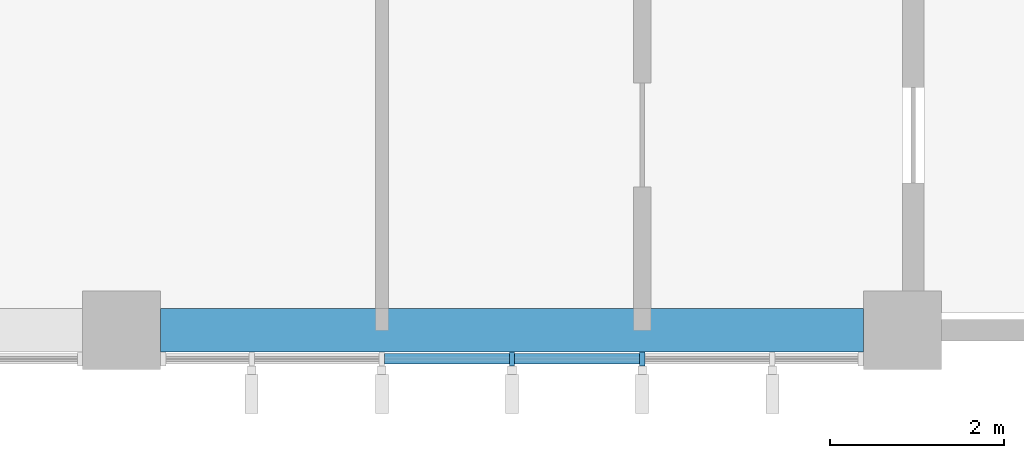
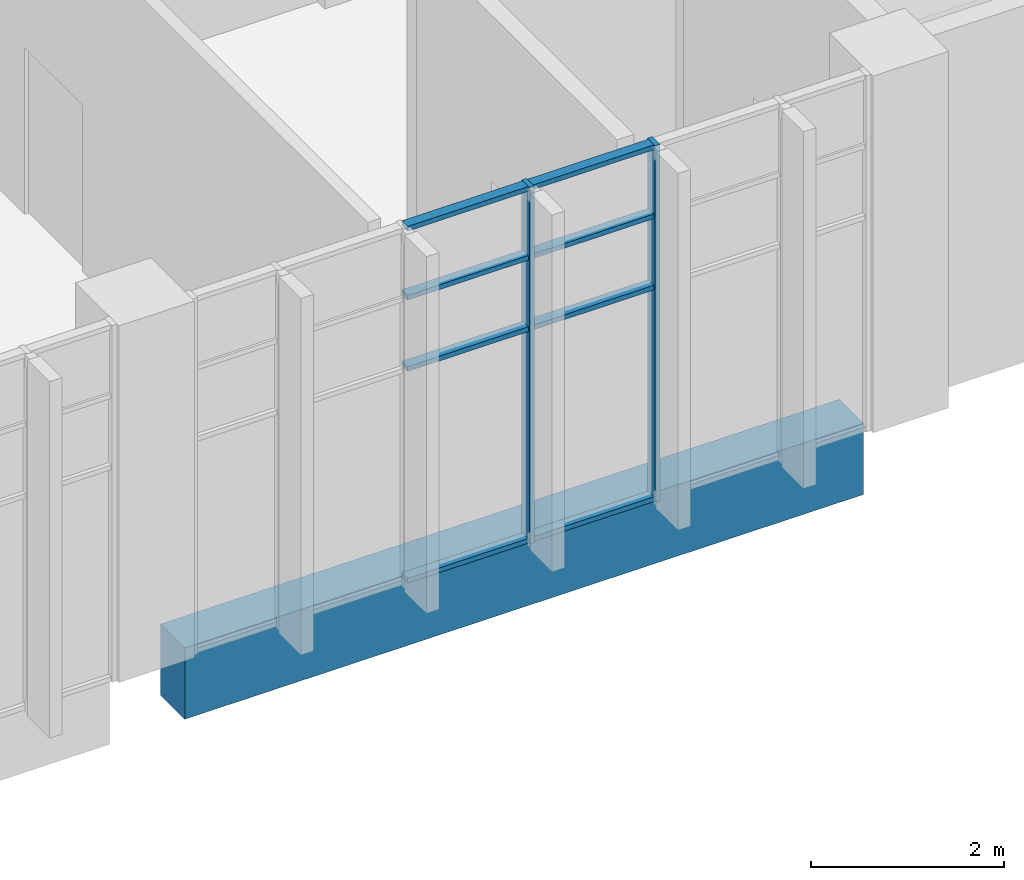
# One storey, part 34 of 79: 10 members, 1 beam, 1 element without a shape of its own.
"""IFC4 building model written with IfcOpenShell, lengths in metres."""

from ifc_helpers import new_model, si_unit, direction, frame, origin, origin_2d, place, context, subcontext, project, spatial, rectangle, extrude, material, layer, layer_set, material_profile, profile_set, type_object, element, aggregate, save


model = new_model("IFC4")

# Units and contexts
model_context = context("Model", 3, precision=1e-05, world=origin(), true_north=direction((0.0, 1.0)))
body_context = subcontext(model_context, "Body", "Model", "MODEL_VIEW")
ifc_project = project(units=[si_unit("LENGTHUNIT", "METRE"), si_unit("AREAUNIT", "SQUARE_METRE"), si_unit("VOLUMEUNIT", "CUBIC_METRE"), si_unit("PLANEANGLEUNIT", "RADIAN"), si_unit("MASSUNIT", "GRAM", prefix="KILO")], contexts=[model_context])

# Site, building, storey
site_placement = place(None, origin())
site = spatial("IfcSite", under=ifc_project, at=site_placement, CompositionType="ELEMENT")
building_placement = place(site_placement, origin())
building = spatial("IfcBuilding", under=site, at=building_placement, Name="Guidao Yard Department Store", CompositionType="ELEMENT")
storey_placement = place(building_placement, frame((0.0, 0.0, 15.0)))
storey = spatial("IfcBuildingStorey", under=building, at=storey_placement, Name="L03", CompositionType="ELEMENT", Elevation=15.0)

# Curtain wall, members
ifc_material_1 = material(Name="Aluminium and glass", Category="aluminium")
ifc_layer = layer(ifc_material_1, 0.159912109375)
ifc_layer_set = layer_set([ifc_layer], Name="Unitised curtain wall CW4 1500 module")
curtain_wall_type = type_object("IfcCurtainWallType", Name="Unitised curtain wall CW4 1500 module", PredefinedType="NOTDEFINED", material=ifc_layer_set)
curtain_wall_placement = place(storey_placement, origin())
curtain_wall = element("IfcCurtainWall", 1, at=curtain_wall_placement, inside=storey, type_object=curtain_wall_type, Name="Unitised curtain wall", PredefinedType="NOTDEFINED")
ifc_material_2 = material(Name="Aluminium 6063-T5", Category="aluminium")
ifc_material_profile_1 = material_profile(ifc_material_2, rectangle(XDim=0.06005859375, YDim=0.159912109375, at=origin_2d()), Name="Mullion M1 60 x 160 aluminium pressure plate")
ifc_profile_set_1 = profile_set([ifc_material_profile_1], Name="Aluminium 6063-T5")
member_type_1 = type_object("IfcMemberType", Name="Mullion M1 60 x 160 aluminium pressure plate", PredefinedType="MULLION", material=ifc_profile_set_1)
member_1_placement = place(storey_placement, frame((157.5, -0.330078125, 0.0), z_axis=(0.0, 0.0, 1.0), x_axis=(-1.0, 0.0, 0.0)))
member_1 = element("IfcMember", 2, at=member_1_placement, type_object=member_type_1, Name="CW-OW-L03-04 mullion 4", PredefinedType="MULLION", context=body_context, shape_type="SweptSolid", body=[
    extrude(rectangle(XDim=0.06005859375, YDim=0.159912109375, at=origin_2d()), origin(), (0.0, 0.0, 1.0), 4.5),
])
member_2_placement = place(storey_placement, frame((159.0, -0.330078125, 0.0), z_axis=(0.0, 0.0, 1.0), x_axis=(-1.0, 0.0, 0.0)))
member_2 = element("IfcMember", 3, at=member_2_placement, type_object=member_type_1, Name="CW-OW-L03-04 mullion 5", PredefinedType="MULLION", context=body_context, shape_type="SweptSolid", body=[
    extrude(rectangle(XDim=0.06005859375, YDim=0.159912109375, at=origin_2d()), origin(), (0.0, 0.0, 1.0), 4.5),
])

# Beam
ifc_material_3 = material(Name="Concrete C40", Category="concrete")
ifc_material_profile_2 = material_profile(ifc_material_3, rectangle(XDim=0.5, YDim=0.89990234375, at=origin_2d()), Name="Spandrel beam 500 x 900 C40")
ifc_profile_set_2 = profile_set([ifc_material_profile_2], Name="Concrete C40")
beam_type = type_object("IfcBeamType", Name="Spandrel beam 500 x 900 C40", PredefinedType="SPANDREL", material=ifc_profile_set_2)
beam_placement = place(storey_placement, frame((153.449951171875, 0.0, -0.449951171875), z_axis=(1.0, 0.0, 0.0), x_axis=(0.0, 1.0, 0.0)))
element("IfcBeam", 4, at=beam_placement, inside=storey, type_object=beam_type, Name="Beam FB03", PredefinedType="SPANDREL", context=body_context, shape_type="SweptSolid", body=[
    extrude(rectangle(XDim=0.5, YDim=0.89990234375, at=origin_2d()), origin(), (0.0, 0.0, 1.0), 8.10009765625),
])

# Member
ifc_material_4 = material(Name="Aluminium 6063-T5", Category="aluminium")
ifc_material_profile_3 = material_profile(ifc_material_4, rectangle(XDim=0.1201171875, YDim=0.06005859375, at=origin_2d()), Name="Transom T1 60 x 120 aluminium pressure plate")
ifc_profile_set_3 = profile_set([ifc_material_profile_3], Name="Aluminium 6063-T5")
member_type_2 = type_object("IfcMemberType", Name="Transom T1 60 x 120 aluminium pressure plate", PredefinedType="USERDEFINED", material=ifc_profile_set_3)
member_3_placement = place(storey_placement, frame((157.469970703125, -0.330078125, 0.030029296875), z_axis=(-1.0, 0.0, 0.0), x_axis=(0.0, -1.0, 0.0)))
member_3 = element("IfcMember", 5, at=member_3_placement, type_object=member_type_2, Name="CW-OW-L03-04 transom 3.1", ObjectType="TRANSOM", PredefinedType="USERDEFINED", context=body_context, shape_type="SweptSolid", body=[
    extrude(rectangle(XDim=0.1201171875, YDim=0.06005859375, at=origin_2d()), origin(), (0.0, 0.0, 1.0), 1.43994140625),
])

member_4_placement = place(storey_placement, frame((157.469970703125, -0.330078125, 2.699951171875), z_axis=(-1.0, 0.0, 0.0), x_axis=(0.0, -1.0, 0.0)))
member_4 = element("IfcMember", 6, at=member_4_placement, type_object=member_type_2, Name="CW-OW-L03-04 transom 3.2", ObjectType="TRANSOM", PredefinedType="USERDEFINED", context=body_context, shape_type="SweptSolid", body=[
    extrude(rectangle(XDim=0.1201171875, YDim=0.06005859375, at=origin_2d()), origin(), (0.0, 0.0, 1.0), 1.43994140625),
])

member_5_placement = place(storey_placement, frame((157.469970703125, -0.330078125, 3.60009765625), z_axis=(-1.0, 0.0, 0.0), x_axis=(0.0, -1.0, 0.0)))
member_5 = element("IfcMember", 7, at=member_5_placement, type_object=member_type_2, Name="CW-OW-L03-04 transom 3.3", ObjectType="TRANSOM", PredefinedType="USERDEFINED", context=body_context, shape_type="SweptSolid", body=[
    extrude(rectangle(XDim=0.1201171875, YDim=0.06005859375, at=origin_2d()), origin(), (0.0, 0.0, 1.0), 1.43994140625),
])

member_6_placement = place(storey_placement, frame((157.469970703125, -0.330078125, 4.469970703125), z_axis=(-1.0, 0.0, 0.0), x_axis=(0.0, -1.0, 0.0)))
member_6 = element("IfcMember", 8, at=member_6_placement, type_object=member_type_2, Name="CW-OW-L03-04 transom 3.4", ObjectType="TRANSOM", PredefinedType="USERDEFINED", context=body_context, shape_type="SweptSolid", body=[
    extrude(rectangle(XDim=0.1201171875, YDim=0.06005859375, at=origin_2d()), origin(), (0.0, 0.0, 1.0), 1.43994140625),
])

member_7_placement = place(storey_placement, frame((158.969970703125, -0.330078125, 0.030029296875), z_axis=(-1.0, 0.0, 0.0), x_axis=(0.0, -1.0, 0.0)))
member_7 = element("IfcMember", 9, at=member_7_placement, type_object=member_type_2, Name="CW-OW-L03-04 transom 4.1", ObjectType="TRANSOM", PredefinedType="USERDEFINED", context=body_context, shape_type="SweptSolid", body=[
    extrude(rectangle(XDim=0.1201171875, YDim=0.06005859375, at=origin_2d()), origin(), (0.0, 0.0, 1.0), 1.43994140625),
])

member_8_placement = place(storey_placement, frame((158.969970703125, -0.330078125, 2.699951171875), z_axis=(-1.0, 0.0, 0.0), x_axis=(0.0, -1.0, 0.0)))
member_8 = element("IfcMember", 10, at=member_8_placement, type_object=member_type_2, Name="CW-OW-L03-04 transom 4.2", ObjectType="TRANSOM", PredefinedType="USERDEFINED", context=body_context, shape_type="SweptSolid", body=[
    extrude(rectangle(XDim=0.1201171875, YDim=0.06005859375, at=origin_2d()), origin(), (0.0, 0.0, 1.0), 1.43994140625),
])

member_9_placement = place(storey_placement, frame((158.969970703125, -0.330078125, 3.60009765625), z_axis=(-1.0, 0.0, 0.0), x_axis=(0.0, -1.0, 0.0)))
member_9 = element("IfcMember", 11, at=member_9_placement, type_object=member_type_2, Name="CW-OW-L03-04 transom 4.3", ObjectType="TRANSOM", PredefinedType="USERDEFINED", context=body_context, shape_type="SweptSolid", body=[
    extrude(rectangle(XDim=0.1201171875, YDim=0.06005859375, at=origin_2d()), origin(), (0.0, 0.0, 1.0), 1.43994140625),
])

member_10_placement = place(storey_placement, frame((158.969970703125, -0.330078125, 4.469970703125), z_axis=(-1.0, 0.0, 0.0), x_axis=(0.0, -1.0, 0.0)))
member_10 = element("IfcMember", 12, at=member_10_placement, type_object=member_type_2, Name="CW-OW-L03-04 transom 4.4", ObjectType="TRANSOM", PredefinedType="USERDEFINED", context=body_context, shape_type="SweptSolid", body=[
    extrude(rectangle(XDim=0.1201171875, YDim=0.06005859375, at=origin_2d()), origin(), (0.0, 0.0, 1.0), 1.43994140625),
])

aggregate(curtain_wall, [member_1, member_2, member_3, member_4, member_5, member_6, member_7, member_8, member_9, member_10])

save(model, "model.ifc")
